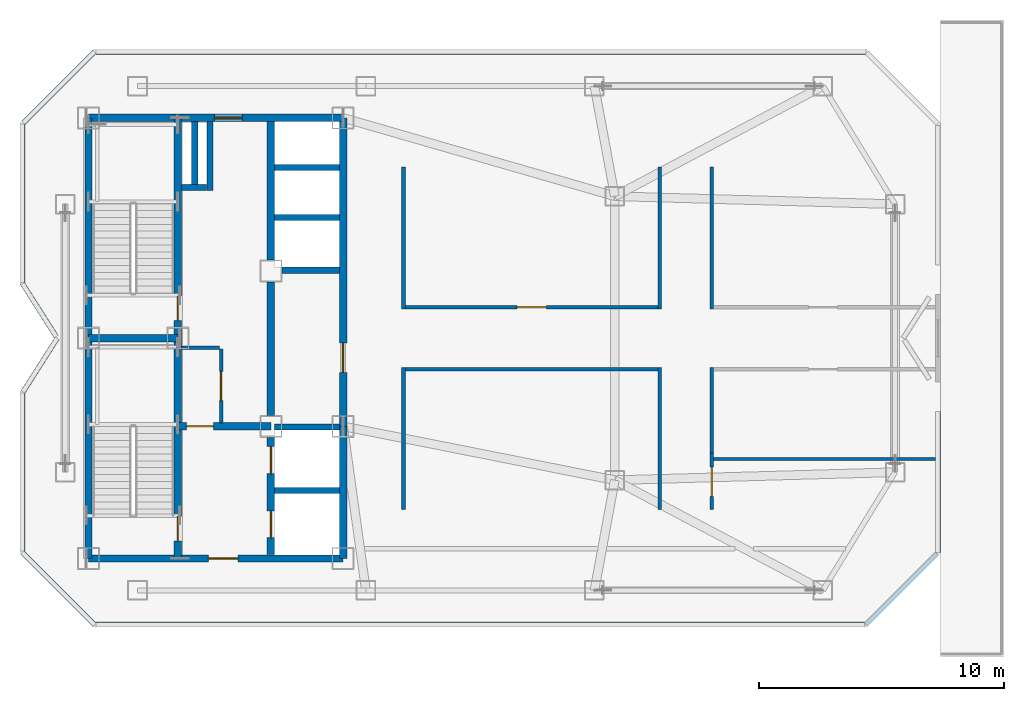
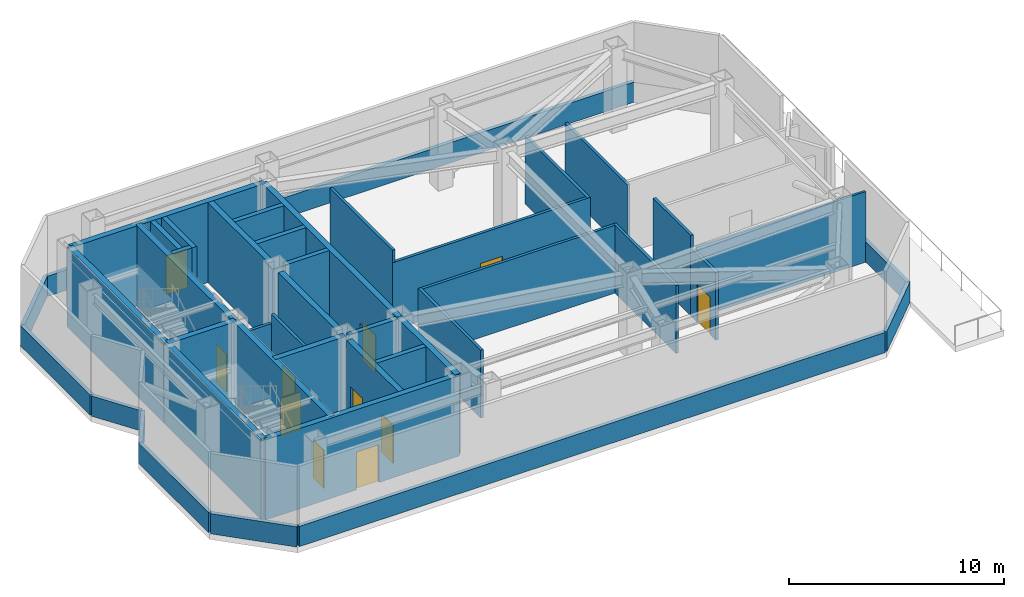
# One storey, part 5 of 10: 43 walls, 11 doors, 11 openings.
"""IFC4 building model written with IfcOpenShell, lengths in metres."""

from ifc_helpers import new_model, si_unit, direction, frame, frame_2d, origin, place, context, subcontext, project, spatial, rectangle, extrude, material, layer, layer_set, type_object, element, fill, save


model = new_model("IFC4")

# Units and contexts
model_context = context("Model", 3, precision=1e-05, world=origin(), true_north=direction((0.0, 1.0)))
body_context = subcontext(model_context, "Body", "Model", "MODEL_VIEW")
ifc_project = project(units=[si_unit("LENGTHUNIT", "METRE"), si_unit("AREAUNIT", "SQUARE_METRE"), si_unit("VOLUMEUNIT", "CUBIC_METRE"), si_unit("PLANEANGLEUNIT", "RADIAN"), si_unit("MASSUNIT", "GRAM", prefix="KILO")], contexts=[model_context])

# Site, building, storey
site_placement = place(None, origin())
site = spatial("IfcSite", under=ifc_project, at=site_placement, CompositionType="ELEMENT")
building_placement = place(site_placement, origin())
building = spatial("IfcBuilding", under=site, at=building_placement, Name="Khamvora Tower", CompositionType="ELEMENT")
storey_placement = place(building_placement, frame((0.0, 0.0, 303.050048828125)))
storey = spatial("IfcBuildingStorey", under=building, at=storey_placement, Name="L77", CompositionType="ELEMENT", Elevation=303.050048828125)

# Walls
ifc_material_1 = material(Name="Concrete C50/60", Category="concrete")
ifc_layer_1 = layer(ifc_material_1, 0.300048828125)
ifc_layer_set_1 = layer_set([ifc_layer_1], Name="Concrete C50/60")
wall_type_1 = type_object("IfcWallType", Name="WAL-CORE-300", PredefinedType="SHEAR", material=ifc_layer_set_1)
for number, where, z_axis, x_axis, name in (
    (1, (29.0, 19.0, 0.0), (0.0, 0.0, 1.0), (0.0, 1.0, 0.0), "L77 central core west south wall"),
    (2, (29.0, 28.0, 0.0), (0.0, 0.0, 1.0), (0.0, 1.0, 0.0), "L77 central core west north wall"),
):
    element("IfcWall", number, at=place(storey_placement, frame(where, z_axis=z_axis, x_axis=x_axis)), inside=storey, type_object=wall_type_1, Name=name, PredefinedType="SHEAR", context=body_context, shape_type="SweptSolid", body=[
        extrude(rectangle(XDim=9.0, YDim=0.300048828125, at=frame_2d((4.5, 0.0))), origin(), (0.0, 0.0, 1.0), 4.550048828125),
    ])

# Wall, opening, door
wall_1_placement = place(storey_placement, frame((29.0, 19.0, 0.0), z_axis=(0.0, 0.0, 1.0), x_axis=(1.0, 0.0, 0.0)))
wall_1 = element("IfcWall", 3, at=wall_1_placement, inside=storey, type_object=wall_type_1, Name="L77 central core south wall", PredefinedType="SHEAR", context=body_context, shape_type="SweptSolid", body=[
    extrude(rectangle(XDim=10.39990234375, YDim=0.300048828125, at=frame_2d((5.199951171875, 0.0))), origin(), (0.0, 0.0, 1.0), 4.550048828125),
])
opening_1_placement = place(wall_1_placement, frame((4.89990234375, 0.0, 0.0)))
opening_1 = element("IfcOpeningElement", 4, at=opening_1_placement, cuts=wall_1, Name="Opening D-CR1", PredefinedType="OPENING", context=body_context, shape_type="SweptSolid", body=[
    extrude(rectangle(XDim=1.199951171875, YDim=2.14990234375, at=frame_2d((0.60009765625, 1.074951171875))), frame((0.0, 0.159912109375, 0.0), z_axis=(0.0, -1.0, 0.0), x_axis=(1.0, 0.0, 0.0)), (0.0, 0.0, 1.0), 0.320068359375),
])
ifc_material_2 = material(Name="Powder-Coated Steel and Hardwood Leaf", Category="steel")
door_type_1 = type_object("IfcDoorType", Name="DOR-CORR-1200", OperationType="NOTDEFINED", PredefinedType="DOOR", material=ifc_material_2)
door_1_placement = place(opening_1_placement, origin())
door_1 = element("IfcDoor", 5, at=door_1_placement, inside=storey, type_object=door_type_1, Name="L77 south core lobby to corridor fire door", OperationType="SINGLE_SWING_RIGHT", OverallHeight=2.14990234375, OverallWidth=1.199951171875, PredefinedType="DOOR", context=body_context, shape_type="SweptSolid", body=[
    extrude(rectangle(XDim=1.199951171875, YDim=2.14990234375, at=frame_2d((0.60009765625, 1.074951171875))), frame((0.0, 0.02490234375, 0.0), z_axis=(0.0, -1.0, 0.0), x_axis=(1.0, 0.0, 0.0)), (0.0, 0.0, 1.0), 0.050048828125),
])
fill(opening_1, door_1)

wall_2_placement = place(storey_placement, frame((29.0, 37.0, 0.0), z_axis=(0.0, 0.0, 1.0), x_axis=(1.0, 0.0, 0.0)))
wall_2 = element("IfcWall", 6, at=wall_2_placement, inside=storey, type_object=wall_type_1, Name="L77 central core north wall", PredefinedType="SHEAR", context=body_context, shape_type="SweptSolid", body=[
    extrude(rectangle(XDim=10.39990234375, YDim=0.300048828125, at=frame_2d((5.199951171875, 0.0))), origin(), (0.0, 0.0, 1.0), 4.550048828125),
])
opening_2_placement = place(wall_2_placement, frame((5.139892578125, 0.0, 0.0)))
opening_2 = element("IfcOpeningElement", 7, at=opening_2_placement, cuts=wall_2, Name="Opening D-SC1", PredefinedType="OPENING", context=body_context, shape_type="SweptSolid", body=[
    extrude(rectangle(XDim=1.14990234375, YDim=2.199951171875, at=frame_2d((0.574951171875, 1.10009765625))), frame((0.0, 0.159912109375, 0.0), z_axis=(0.0, -1.0, 0.0), x_axis=(1.0, 0.0, 0.0)), (0.0, 0.0, 1.0), 0.320068359375),
])
door_type_2 = type_object("IfcDoorType", Name="DOR-SCHL-1150", OperationType="NOTDEFINED", PredefinedType="DOOR", material=ifc_material_2)
door_2_placement = place(opening_2_placement, origin())
door_2 = element("IfcDoor", 8, at=door_2_placement, inside=storey, type_object=door_type_2, Name="L77 north core lobby to corridor fire door", OperationType="SINGLE_SWING_LEFT", OverallHeight=2.199951171875, OverallWidth=1.14990234375, PredefinedType="DOOR", context=body_context, shape_type="SweptSolid", body=[
    extrude(rectangle(XDim=1.14990234375, YDim=2.199951171875, at=frame_2d((0.574951171875, 1.10009765625))), frame((0.0, 0.02490234375, 0.0), z_axis=(0.0, -1.0, 0.0), x_axis=(1.0, 0.0, 0.0)), (0.0, 0.0, 1.0), 0.050048828125),
])
fill(opening_2, door_2)

# Wall
wall_3_placement = place(storey_placement, frame((39.39990234375, 19.0, 0.0), z_axis=(0.0, 0.0, 1.0), x_axis=(0.0, 1.0, 0.0)))
element("IfcWall", 9, at=wall_3_placement, inside=storey, type_object=wall_type_1, Name="L77 central core east south wall", PredefinedType="SHEAR", context=body_context, shape_type="SweptSolid", body=[
    extrude(rectangle(XDim=5.39990234375, YDim=0.300048828125, at=frame_2d((2.699951171875, 0.0))), origin(), (0.0, 0.0, 1.0), 4.550048828125),
])

# Wall, opening, door
wall_4_placement = place(storey_placement, frame((39.39990234375, 24.39990234375, 0.0), z_axis=(0.0, 0.0, 1.0), x_axis=(0.0, 1.0, 0.0)))
wall_4 = element("IfcWall", 10, at=wall_4_placement, inside=storey, type_object=wall_type_1, Name="L77 central core east north wall", PredefinedType="SHEAR", context=body_context, shape_type="SweptSolid", body=[
    extrude(rectangle(XDim=12.60009765625, YDim=0.300048828125, at=frame_2d((6.300048828125, 0.0))), origin(), (0.0, 0.0, 1.0), 4.550048828125),
])
opening_3_placement = place(wall_4_placement, frame((2.199951171875, 0.0, 0.0)))
opening_3 = element("IfcOpeningElement", 11, at=opening_3_placement, cuts=wall_4, Name="Opening D-PL1", PredefinedType="OPENING", context=body_context, shape_type="SweptSolid", body=[
    extrude(rectangle(XDim=1.199951171875, YDim=2.14990234375, at=frame_2d((0.60009765625, 1.074951171875))), frame((0.0, 0.159912109375, 0.0), z_axis=(0.0, -1.0, 0.0), x_axis=(1.0, 0.0, 0.0)), (0.0, 0.0, 1.0), 0.320068359375),
])
door_type_3 = type_object("IfcDoorType", Name="DOR-PLNT-1200", OperationType="NOTDEFINED", PredefinedType="DOOR", material=ifc_material_2)
door_3_placement = place(opening_3_placement, origin())
door_3 = element("IfcDoor", 12, at=door_3_placement, inside=storey, type_object=door_type_3, Name="L77 core plant lobby east fire door", OperationType="SINGLE_SWING_LEFT", OverallHeight=2.14990234375, OverallWidth=1.199951171875, PredefinedType="DOOR", context=body_context, shape_type="SweptSolid", body=[
    extrude(rectangle(XDim=1.199951171875, YDim=2.14990234375, at=frame_2d((0.60009765625, 1.074951171875))), frame((0.0, 0.02490234375, 0.0), z_axis=(0.0, -1.0, 0.0), x_axis=(1.0, 0.0, 0.0)), (0.0, 0.0, 1.0), 0.050048828125),
])
fill(opening_3, door_3)

wall_5_placement = place(storey_placement, frame((32.64990234375, 19.0, 0.0), z_axis=(0.0, 0.0, 1.0), x_axis=(0.0, 1.0, 0.0)))
wall_5 = element("IfcWall", 13, at=wall_5_placement, inside=storey, type_object=wall_type_1, Name="L77 central core stair south spine wall", PredefinedType="SHEAR", context=body_context, shape_type="SweptSolid", body=[
    extrude(rectangle(XDim=9.0, YDim=0.300048828125, at=frame_2d((4.5, 0.0))), origin(), (0.0, 0.0, 1.0), 4.550048828125),
])
opening_4_placement = place(wall_5_placement, frame((0.719970703125, 0.0, 0.0)))
opening_4 = element("IfcOpeningElement", 14, at=opening_4_placement, cuts=wall_5, Name="Opening D-ST1", PredefinedType="OPENING", context=body_context, shape_type="SweptSolid", body=[
    extrude(rectangle(XDim=1.0, YDim=2.14990234375, at=frame_2d((0.5, 1.074951171875))), frame((0.0, 0.159912109375, 0.0), z_axis=(0.0, -1.0, 0.0), x_axis=(1.0, 0.0, 0.0)), (0.0, 0.0, 1.0), 0.320068359375),
])
door_type_4 = type_object("IfcDoorType", Name="DOR-STAIR-1000", OperationType="NOTDEFINED", PredefinedType="DOOR", material=ifc_material_2)
door_4_placement = place(opening_4_placement, origin())
door_4 = element("IfcDoor", 15, at=door_4_placement, inside=storey, type_object=door_type_4, Name="L77 exit stair ST-01 fire door", OperationType="SINGLE_SWING_RIGHT", OverallHeight=2.14990234375, OverallWidth=1.0, PredefinedType="DOOR", context=body_context, shape_type="SweptSolid", body=[
    extrude(rectangle(XDim=1.0, YDim=2.14990234375, at=frame_2d((0.5, 1.074951171875))), frame((0.0, 0.02490234375, 0.0), z_axis=(0.0, -1.0, 0.0), x_axis=(1.0, 0.0, 0.0)), (0.0, 0.0, 1.0), 0.050048828125),
])
fill(opening_4, door_4)

wall_6_placement = place(storey_placement, frame((32.64990234375, 28.0, 0.0), z_axis=(0.0, 0.0, 1.0), x_axis=(0.0, 1.0, 0.0)))
wall_6 = element("IfcWall", 16, at=wall_6_placement, inside=storey, type_object=wall_type_1, Name="L77 central core stair north spine wall", PredefinedType="SHEAR", context=body_context, shape_type="SweptSolid", body=[
    extrude(rectangle(XDim=9.0, YDim=0.300048828125, at=frame_2d((4.5, 0.0))), origin(), (0.0, 0.0, 1.0), 4.550048828125),
])
opening_5_placement = place(wall_6_placement, frame((0.719970703125, 0.0, 0.0)))
opening_5 = element("IfcOpeningElement", 17, at=opening_5_placement, cuts=wall_6, Name="Opening D-ST1", PredefinedType="OPENING", context=body_context, shape_type="SweptSolid", body=[
    extrude(rectangle(XDim=1.0, YDim=2.14990234375, at=frame_2d((0.5, 1.074951171875))), frame((0.0, 0.159912109375, 0.0), z_axis=(0.0, -1.0, 0.0), x_axis=(1.0, 0.0, 0.0)), (0.0, 0.0, 1.0), 0.320068359375),
])
door_5_placement = place(opening_5_placement, origin())
door_5 = element("IfcDoor", 18, at=door_5_placement, inside=storey, type_object=door_type_4, Name="L77 exit stair ST-02 fire door", OperationType="SINGLE_SWING_RIGHT", OverallHeight=2.14990234375, OverallWidth=1.0, PredefinedType="DOOR", context=body_context, shape_type="SweptSolid", body=[
    extrude(rectangle(XDim=1.0, YDim=2.14990234375, at=frame_2d((0.5, 1.074951171875))), frame((0.0, 0.02490234375, 0.0), z_axis=(0.0, -1.0, 0.0), x_axis=(1.0, 0.0, 0.0)), (0.0, 0.0, 1.0), 0.050048828125),
])
fill(opening_5, door_5)

# Wall
wall_7_placement = place(storey_placement, frame((29.0, 28.0, 0.0), z_axis=(0.0, 0.0, 1.0), x_axis=(1.0, 0.0, 0.0)))
element("IfcWall", 19, at=wall_7_placement, inside=storey, type_object=wall_type_1, Name="L77 central core stair cross wall", PredefinedType="SHEAR", context=body_context, shape_type="SweptSolid", body=[
    extrude(rectangle(XDim=3.64990234375, YDim=0.300048828125, at=frame_2d((1.824951171875, 0.0))), origin(), (0.0, 0.0, 1.0), 4.550048828125),
])

# Wall, opening, door
wall_8_placement = place(storey_placement, frame((32.64990234375, 24.39990234375, 0.0), z_axis=(0.0, 0.0, 1.0), x_axis=(1.0, 0.0, 0.0)))
wall_8 = element("IfcWall", 20, at=wall_8_placement, inside=storey, type_object=wall_type_1, Name="L77 central core firefighting lobby north wall", PredefinedType="SHEAR", context=body_context, shape_type="SweptSolid", body=[
    extrude(rectangle(XDim=3.800048828125, YDim=0.300048828125, at=frame_2d((1.89990234375, 0.0))), origin(), (0.0, 0.0, 1.0), 4.550048828125),
])
opening_6_placement = place(wall_8_placement, frame((0.35009765625, 0.0, 0.0)))
opening_6 = element("IfcOpeningElement", 21, at=opening_6_placement, cuts=wall_8, Name="Opening D-FF1", PredefinedType="OPENING", context=body_context, shape_type="SweptSolid", body=[
    extrude(rectangle(XDim=1.10009765625, YDim=2.14990234375, at=frame_2d((0.550048828125, 1.074951171875))), frame((0.0, 0.159912109375, 0.0), z_axis=(0.0, -1.0, 0.0), x_axis=(1.0, 0.0, 0.0)), (0.0, 0.0, 1.0), 0.320068359375),
])
door_type_5 = type_object("IfcDoorType", Name="DOR-FFLOB-1100", OperationType="NOTDEFINED", PredefinedType="DOOR", material=ifc_material_2)
door_6_placement = place(opening_6_placement, origin())
door_6 = element("IfcDoor", 22, at=door_6_placement, inside=storey, type_object=door_type_5, Name="L77 firefighting lobby smoke-seal fire door", OperationType="SINGLE_SWING_LEFT", OverallHeight=2.14990234375, OverallWidth=1.10009765625, PredefinedType="DOOR", context=body_context, shape_type="SweptSolid", body=[
    extrude(rectangle(XDim=1.10009765625, YDim=2.14990234375, at=frame_2d((0.550048828125, 1.074951171875))), frame((0.0, 0.02490234375, 0.0), z_axis=(0.0, -1.0, 0.0), x_axis=(1.0, 0.0, 0.0)), (0.0, 0.0, 1.0), 0.050048828125),
])
fill(opening_6, door_6)

# Wall, openings, doors
wall_9_placement = place(storey_placement, frame((36.449951171875, 19.154052734375, 0.0), z_axis=(0.0, 0.0, 1.0), x_axis=(0.0, 1.0, 0.0)))
wall_9 = element("IfcWall", 23, at=wall_9_placement, inside=storey, type_object=wall_type_1, Name="L77 central core lift bank south wall", PredefinedType="SHEAR", context=body_context, shape_type="SweptSolid", body=[
    extrude(rectangle(XDim=4.7958984375, YDim=0.300048828125, at=frame_2d((2.39794921875, 0.0))), origin(), (0.0, 0.0, 1.0), 4.550048828125),
])
opening_7_placement = place(wall_9_placement, frame((0.696044921875, 0.0, 0.0)))
opening_7 = element("IfcOpeningElement", 24, at=opening_7_placement, cuts=wall_9, Name="Opening LD-FFL", PredefinedType="OPENING", context=body_context, shape_type="SweptSolid", body=[
    extrude(rectangle(XDim=1.10009765625, YDim=2.14990234375, at=frame_2d((0.550048828125, 1.074951171875))), frame((0.0, 0.159912109375, 0.0), z_axis=(0.0, -1.0, 0.0), x_axis=(1.0, 0.0, 0.0)), (0.0, 0.0, 1.0), 0.320068359375),
])
opening_8_placement = place(wall_9_placement, frame((3.31591796875, 0.0, 0.0)))
opening_8 = element("IfcOpeningElement", 25, at=opening_8_placement, cuts=wall_9, Name="Opening LD-FFL", PredefinedType="OPENING", context=body_context, shape_type="SweptSolid", body=[
    extrude(rectangle(XDim=1.10009765625, YDim=2.14990234375, at=frame_2d((0.550048828125, 1.074951171875))), frame((0.0, 0.159912109375, 0.0), z_axis=(0.0, -1.0, 0.0), x_axis=(1.0, 0.0, 0.0)), (0.0, 0.0, 1.0), 0.320068359375),
])
door_type_6 = type_object("IfcDoorType", Name="DOR-LIFT-1100", OperationType="SLIDING_TO_LEFT", PredefinedType="DOOR", material=ifc_material_2)
door_7_placement = place(opening_7_placement, origin())
door_7 = element("IfcDoor", 26, at=door_7_placement, inside=storey, type_object=door_type_6, Name="L77 lift landing sliding door FFL-01", OperationType="SLIDING_TO_LEFT", OverallHeight=2.14990234375, OverallWidth=1.10009765625, PredefinedType="DOOR", context=body_context, shape_type="SweptSolid", body=[
    extrude(rectangle(XDim=1.10009765625, YDim=2.14990234375, at=frame_2d((0.550048828125, 1.074951171875))), frame((0.0, 0.02490234375, 0.0), z_axis=(0.0, -1.0, 0.0), x_axis=(1.0, 0.0, 0.0)), (0.0, 0.0, 1.0), 0.050048828125),
])
fill(opening_7, door_7)
door_8_placement = place(opening_8_placement, origin())
door_8 = element("IfcDoor", 27, at=door_8_placement, inside=storey, type_object=door_type_6, Name="L77 lift landing sliding door FFL-02", OperationType="SLIDING_TO_LEFT", OverallHeight=2.14990234375, OverallWidth=1.10009765625, PredefinedType="DOOR", context=body_context, shape_type="SweptSolid", body=[
    extrude(rectangle(XDim=1.10009765625, YDim=2.14990234375, at=frame_2d((0.550048828125, 1.074951171875))), frame((0.0, 0.02490234375, 0.0), z_axis=(0.0, -1.0, 0.0), x_axis=(1.0, 0.0, 0.0)), (0.0, 0.0, 1.0), 0.050048828125),
])
fill(opening_8, door_8)

# Walls
wall_10_placement = place(storey_placement, frame((36.449951171875, 24.85009765625, 0.0), z_axis=(0.0, 0.0, 1.0), x_axis=(0.0, 1.0, 0.0)))
element("IfcWall", 28, at=wall_10_placement, inside=storey, type_object=wall_type_1, Name="L77 central core lift bank central wall", PredefinedType="SHEAR", context=body_context, shape_type="SweptSolid", body=[
    extrude(rectangle(XDim=5.449951171875, YDim=0.300048828125, at=frame_2d((2.72509765625, 0.0))), origin(), (0.0, 0.0, 1.0), 4.550048828125),
])
wall_11_placement = place(storey_placement, frame((36.449951171875, 31.199951171875, 0.0), z_axis=(0.0, 0.0, 1.0), x_axis=(0.0, 1.0, 0.0)))
element("IfcWall", 29, at=wall_11_placement, inside=storey, type_object=wall_type_1, Name="L77 central core lift bank north wall", PredefinedType="SHEAR", context=body_context, shape_type="SweptSolid", body=[
    extrude(rectangle(XDim=5.64599609375, YDim=0.300048828125, at=frame_2d((2.822998046875, 0.0))), origin(), (0.0, 0.0, 1.0), 4.550048828125),
])
ifc_material_3 = material(Name="Fire-Rated Drywall and Steel Stud", Category="steel")
ifc_layer_2 = layer(ifc_material_3, 0.14990234375)
ifc_layer_set_2 = layer_set([ifc_layer_2], Name="Fire-Rated Drywall and Steel Stud")
wall_type_2 = type_object("IfcWallType", Name="WAL-CORR-150", PredefinedType="STANDARD", material=ifc_layer_set_2)
wall_12_placement = place(storey_placement, frame((32.7939453125, 27.614990234375, 0.0), z_axis=(0.0, 0.0, 1.0), x_axis=(1.0, 0.0, 0.0)))
element("IfcWall", 30, at=wall_12_placement, inside=storey, type_object=wall_type_2, Name="L77 interior partition wall 001", PredefinedType="STANDARD", context=body_context, shape_type="SweptSolid", body=[
    extrude(rectangle(XDim=1.55615234375, YDim=0.14990234375, at=frame_2d((0.778076171875, 0.0))), origin(), (0.0, 0.0, 1.0), 4.0068359375),
])

# Wall, opening, door
wall_13_placement = place(storey_placement, frame((34.4150390625, 27.550048828125, 0.0), z_axis=(0.0, 0.0, 1.0), x_axis=(0.0, -1.0, 0.0)))
wall_13 = element("IfcWall", 31, at=wall_13_placement, inside=storey, type_object=wall_type_2, Name="L77 interior partition wall 002", PredefinedType="STANDARD", context=body_context, shape_type="SweptSolid", body=[
    extrude(rectangle(XDim=3.006103515625, YDim=0.14990234375, at=frame_2d((1.5029296875, 0.0))), origin(), (0.0, 0.0, 1.0), 4.550048828125),
])
opening_9_placement = place(wall_13_placement, frame((0.903076171875, 0.0, 0.0)))
opening_9 = element("IfcOpeningElement", 32, at=opening_9_placement, cuts=wall_13, Name="Opening D-PL1", PredefinedType="OPENING", context=body_context, shape_type="SweptSolid", body=[
    extrude(rectangle(XDim=1.199951171875, YDim=2.14990234375, at=frame_2d((0.60009765625, 1.074951171875))), frame((0.0, 0.0849609375, 0.0), z_axis=(0.0, -1.0, 0.0), x_axis=(1.0, 0.0, 0.0)), (0.0, 0.0, 1.0), 0.169921875),
])
door_9_placement = place(opening_9_placement, origin())
door_9 = element("IfcDoor", 33, at=door_9_placement, inside=storey, type_object=door_type_3, Name="L77 interior door CSR-PCR", OperationType="SINGLE_SWING_RIGHT", OverallHeight=2.14990234375, OverallWidth=1.199951171875, PredefinedType="DOOR", context=body_context, shape_type="SweptSolid", body=[
    extrude(rectangle(XDim=1.199951171875, YDim=2.14990234375, at=frame_2d((0.60009765625, 1.074951171875))), frame((0.0, 0.02490234375, 0.0), z_axis=(0.0, -1.0, 0.0), x_axis=(1.0, 0.0, 0.0)), (0.0, 0.0, 1.0), 0.050048828125),
])
fill(opening_9, door_9)

wall_14_placement = place(storey_placement, frame((41.800048828125, 29.264892578125, 0.0), z_axis=(0.0, 0.0, 1.0), x_axis=(1.0, 0.0, 0.0)))
wall_14 = element("IfcWall", 34, at=wall_14_placement, inside=storey, type_object=wall_type_2, Name="L77 interior partition wall 003", PredefinedType="STANDARD", context=body_context, shape_type="SweptSolid", body=[
    extrude(rectangle(XDim=10.599853515625, YDim=0.14990234375, at=frame_2d((5.2998046875, 0.0))), origin(), (0.0, 0.0, 1.0), 3.844970703125),
])
opening_10_placement = place(wall_14_placement, frame((4.699951171875, 0.0, 0.0)))
opening_10 = element("IfcOpeningElement", 35, at=opening_10_placement, cuts=wall_14, Name="Opening D-PL1", PredefinedType="OPENING", context=body_context, shape_type="SweptSolid", body=[
    extrude(rectangle(XDim=1.199951171875, YDim=2.14990234375, at=frame_2d((0.60009765625, 1.074951171875))), frame((0.0, 0.0849609375, 0.0), z_axis=(0.0, -1.0, 0.0), x_axis=(1.0, 0.0, 0.0)), (0.0, 0.0, 1.0), 0.169921875),
])
door_10_placement = place(opening_10_placement, origin())
door_10 = element("IfcDoor", 36, at=door_10_placement, inside=storey, type_object=door_type_3, Name="L77 interior door PCOR-REF", OperationType="SINGLE_SWING_LEFT", OverallHeight=2.14990234375, OverallWidth=1.199951171875, PredefinedType="DOOR", context=body_context, shape_type="SweptSolid", body=[
    extrude(rectangle(XDim=1.199951171875, YDim=2.14990234375, at=frame_2d((0.60009765625, 1.074951171875))), frame((0.0, 0.02490234375, 0.0), z_axis=(0.0, -1.0, 0.0), x_axis=(1.0, 0.0, 0.0)), (0.0, 0.0, 1.0), 0.050048828125),
])
fill(opening_10, door_10)

# Walls
for number, where, z_axis, x_axis, name in (
    (37, (52.3349609375, 29.199951171875, 0.0), (0.0, 0.0, 1.0), (0.0, 1.0, 0.0), "L77 interior partition wall 004"),
    (38, (52.3349609375, 21.0, 0.0), (0.0, 0.0, 1.0), (0.0, 1.0, 0.0), "L77 interior partition wall 005"),
):
    element("IfcWall", number, at=place(storey_placement, frame(where, z_axis=z_axis, x_axis=x_axis)), inside=storey, type_object=wall_type_2, Name=name, PredefinedType="STANDARD", context=body_context, shape_type="SweptSolid", body=[
        extrude(rectangle(XDim=5.800048828125, YDim=0.14990234375, at=frame_2d((2.89990234375, 0.0))), origin(), (0.0, 0.0, 1.0), 3.844970703125),
    ])
wall_15_placement = place(storey_placement, frame((52.39794921875, 26.735107421875, 0.0), z_axis=(0.0, 0.0, 1.0), x_axis=(-1.0, 0.0, 0.0)))
element("IfcWall", 39, at=wall_15_placement, inside=storey, type_object=wall_type_2, Name="L77 interior partition wall 006", PredefinedType="STANDARD", context=body_context, shape_type="SweptSolid", body=[
    extrude(rectangle(XDim=10.597900390625, YDim=0.14990234375, at=frame_2d((5.298828125, 0.0))), origin(), (0.0, 0.0, 1.0), 3.844970703125),
])
wall_16_placement = place(storey_placement, frame((41.864990234375, 26.800048828125, 0.0), z_axis=(0.0, 0.0, 1.0), x_axis=(0.0, -1.0, 0.0)))
element("IfcWall", 40, at=wall_16_placement, inside=storey, type_object=wall_type_2, Name="L77 interior partition wall 007", PredefinedType="STANDARD", context=body_context, shape_type="SweptSolid", body=[
    extrude(rectangle(XDim=5.800048828125, YDim=0.14990234375, at=frame_2d((2.89990234375, 0.0))), origin(), (0.0, 0.0, 1.0), 3.844970703125),
])
wall_17_placement = place(storey_placement, frame((41.864990234375, 35.0, 0.0), z_axis=(0.0, 0.0, 1.0), x_axis=(0.0, -1.0, 0.0)))
element("IfcWall", 41, at=wall_17_placement, inside=storey, type_object=wall_type_2, Name="L77 interior partition wall 008", PredefinedType="STANDARD", context=body_context, shape_type="SweptSolid", body=[
    extrude(rectangle(XDim=5.800048828125, YDim=0.14990234375, at=frame_2d((2.89990234375, 0.0))), origin(), (0.0, 0.0, 1.0), 4.550048828125),
])

# Wall, opening, door
wall_18_placement = place(storey_placement, frame((54.465087890625, 23.31396484375, 0.0), z_axis=(0.0, 0.0, 1.0), x_axis=(0.0, -1.0, 0.0)))
wall_18 = element("IfcWall", 42, at=wall_18_placement, inside=storey, type_object=wall_type_2, Name="L77 interior partition wall 009", PredefinedType="STANDARD", context=body_context, shape_type="SweptSolid", body=[
    extrude(rectangle(XDim=2.31396484375, YDim=0.14990234375, at=frame_2d((1.156982421875, 0.0))), origin(), (0.0, 0.0, 1.0), 3.844970703125),
])
opening_11_placement = place(wall_18_placement, frame((0.577880859375, 0.0, 0.0)))
opening_11 = element("IfcOpeningElement", 43, at=opening_11_placement, cuts=wall_18, Name="Opening D-PL1", PredefinedType="OPENING", context=body_context, shape_type="SweptSolid", body=[
    extrude(rectangle(XDim=1.199951171875, YDim=2.14990234375, at=frame_2d((0.60009765625, 1.074951171875))), frame((0.0, 0.0849609375, 0.0), z_axis=(0.0, -1.0, 0.0), x_axis=(1.0, 0.0, 0.0)), (0.0, 0.0, 1.0), 0.169921875),
])
door_11_placement = place(opening_11_placement, origin())
door_11 = element("IfcDoor", 44, at=door_11_placement, inside=storey, type_object=door_type_3, Name="L77 interior door PCOR-CHL", OperationType="SINGLE_SWING_RIGHT", OverallHeight=2.14990234375, OverallWidth=1.199951171875, PredefinedType="DOOR", context=body_context, shape_type="SweptSolid", body=[
    extrude(rectangle(XDim=1.199951171875, YDim=2.14990234375, at=frame_2d((0.60009765625, 1.074951171875))), frame((0.0, 0.02490234375, 0.0), z_axis=(0.0, -1.0, 0.0), x_axis=(1.0, 0.0, 0.0)), (0.0, 0.0, 1.0), 0.050048828125),
])
fill(opening_11, door_11)

# Walls
wall_19_placement = place(storey_placement, frame((54.465087890625, 26.800048828125, 0.0), z_axis=(0.0, 0.0, 1.0), x_axis=(0.0, -1.0, 0.0)))
element("IfcWall", 45, at=wall_19_placement, inside=storey, type_object=wall_type_2, Name="L77 interior partition wall 011", PredefinedType="STANDARD", context=body_context, shape_type="SweptSolid", body=[
    extrude(rectangle(XDim=3.486083984375, YDim=0.14990234375, at=frame_2d((1.7431640625, 0.0))), origin(), (0.0, 0.0, 1.0), 4.550048828125),
])
wall_20_placement = place(storey_placement, frame((54.465087890625, 35.0, 0.0), z_axis=(0.0, 0.0, 1.0), x_axis=(0.0, -1.0, 0.0)))
element("IfcWall", 46, at=wall_20_placement, inside=storey, type_object=wall_type_2, Name="L77 interior partition wall 012", PredefinedType="STANDARD", context=body_context, shape_type="SweptSolid", body=[
    extrude(rectangle(XDim=5.800048828125, YDim=0.14990234375, at=frame_2d((2.89990234375, 0.0))), origin(), (0.0, 0.0, 1.0), 3.844970703125),
])
ifc_material_4 = material(Name="Precast concrete C40/50", Category="concrete")
ifc_layer_3 = layer(ifc_material_4, 0.199951171875)
ifc_layer_set_3 = layer_set([ifc_layer_3], Name="Precast concrete C40/50")
wall_type_3 = type_object("IfcWallType", Name="WAL-EXT-200", PredefinedType="STANDARD", material=ifc_layer_set_3)
wall_21_placement = place(storey_placement, frame((29.240966796875, 16.300048828125, 0.0), z_axis=(0.0, 0.0, 1.0), x_axis=(-0.707106781187, 0.707106781187, 0.0)))
element("IfcWall", 47, at=wall_21_placement, inside=storey, type_object=wall_type_3, Name="L77 plant perimeter spandrel wall 01.1", PredefinedType="STANDARD", context=body_context, shape_type="SweptSolid", body=[
    extrude(rectangle(XDim=4.1591796875, YDim=0.199951171875, at=frame_2d((2.07958984375, 0.0))), origin(), (0.0, 0.0, 1.0), 1.14990234375),
])
wall_22_placement = place(storey_placement, frame((26.300048828125, 19.303955078125, 0.0), z_axis=(0.0, 0.0, 1.0), x_axis=(0.0, 1.0, 0.0)))
element("IfcWall", 48, at=wall_22_placement, inside=storey, type_object=wall_type_3, Name="L77 plant perimeter spandrel wall 02.1", PredefinedType="STANDARD", context=body_context, shape_type="SweptSolid", body=[
    extrude(rectangle(XDim=6.467041015625, YDim=0.199951171875, at=frame_2d((3.2333984375, 0.0))), origin(), (0.0, 0.0, 1.0), 1.14990234375),
])
wall_23_placement = place(storey_placement, frame((26.322998046875, 25.80810546875, 0.0), z_axis=(0.0, 0.0, 1.0), x_axis=(0.53719156007, 0.843460270428, 0.0)))
element("IfcWall", 49, at=wall_23_placement, inside=storey, type_object=wall_type_3, Name="L77 plant perimeter spandrel wall 03.1", PredefinedType="STANDARD", context=body_context, shape_type="SweptSolid", body=[
    extrude(rectangle(XDim=2.5986328125, YDim=0.199951171875, at=frame_2d((1.29931640625, 0.0))), origin(), (0.0, 0.0, 1.0), 1.14990234375),
])
wall_24_placement = place(storey_placement, frame((27.675048828125, 28.068115234375, 0.0), z_axis=(0.0, 0.0, 1.0), x_axis=(-0.536844652872, 0.843681111963, 0.0)))
element("IfcWall", 50, at=wall_24_placement, inside=storey, type_object=wall_type_3, Name="L77 plant perimeter spandrel wall 04.1", PredefinedType="STANDARD", context=body_context, shape_type="SweptSolid", body=[
    extrude(rectangle(XDim=2.561279296875, YDim=0.199951171875, at=frame_2d((1.28076171875, 0.0))), origin(), (0.0, 0.0, 1.0), 1.14990234375),
])
wall_25_placement = place(storey_placement, frame((26.300048828125, 30.27392578125, 0.0), z_axis=(0.0, 0.0, 1.0), x_axis=(0.0, 1.0, 0.0)))
element("IfcWall", 51, at=wall_25_placement, inside=storey, type_object=wall_type_3, Name="L77 plant perimeter spandrel wall 05.1", PredefinedType="STANDARD", context=body_context, shape_type="SweptSolid", body=[
    extrude(rectangle(XDim=6.485107421875, YDim=0.199951171875, at=frame_2d((3.24267578125, 0.0))), origin(), (0.0, 0.0, 1.0), 1.14990234375),
])
wall_26_placement = place(storey_placement, frame((26.343994140625, 36.802978515625, 0.0), z_axis=(0.0, 0.0, 1.0), x_axis=(0.707106781187, 0.707106781187, 0.0)))
element("IfcWall", 52, at=wall_26_placement, inside=storey, type_object=wall_type_3, Name="L77 plant perimeter spandrel wall 06.1", PredefinedType="STANDARD", context=body_context, shape_type="SweptSolid", body=[
    extrude(rectangle(XDim=4.096923828125, YDim=0.199951171875, at=frame_2d((2.04833984375, 0.0))), origin(), (0.0, 0.0, 1.0), 1.14990234375),
])
wall_27_placement = place(storey_placement, frame((29.302001953125, 39.699951171875, 0.0), z_axis=(0.0, 0.0, 1.0), x_axis=(1.0, 0.0, 0.0)))
element("IfcWall", 53, at=wall_27_placement, inside=storey, type_object=wall_type_3, Name="L77 plant perimeter spandrel wall 07.1", PredefinedType="STANDARD", context=body_context, shape_type="SweptSolid", body=[
    extrude(rectangle(XDim=31.45703125, YDim=0.199951171875, at=frame_2d((15.728515625, 0.0))), origin(), (0.0, 0.0, 1.0), 1.14990234375),
])
wall_28_placement = place(storey_placement, frame((63.699951171875, 25.0, 0.0), z_axis=(0.0, 0.0, 1.0), x_axis=(0.0, -1.0, 0.0)))
element("IfcWall", 54, at=wall_28_placement, inside=storey, type_object=wall_type_3, Name="L77 plant perimeter spandrel wall 12.1", PredefinedType="STANDARD", context=body_context, shape_type="SweptSolid", body=[
    extrude(rectangle(XDim=5.759033203125, YDim=0.199951171875, at=frame_2d((2.87939453125, 0.0))), origin(), (0.0, 0.0, 1.0), 1.14990234375),
])
wall_29_placement = place(storey_placement, frame((63.655029296875, 19.196044921875, 0.0), z_axis=(0.0, 0.0, 1.0), x_axis=(-0.707106781187, -0.707106781187, 0.0)))
element("IfcWall", 55, at=wall_29_placement, inside=storey, type_object=wall_type_3, Name="L77 plant perimeter spandrel wall 13.1", PredefinedType="STANDARD", context=body_context, shape_type="SweptSolid", body=[
    extrude(rectangle(XDim=4.095458984375, YDim=0.199951171875, at=frame_2d((2.0478515625, 0.0))), origin(), (0.0, 0.0, 1.0), 1.14990234375),
])
wall_30_placement = place(storey_placement, frame((60.696044921875, 16.300048828125, 0.0), z_axis=(0.0, 0.0, 1.0), x_axis=(-1.0, 0.0, 0.0)))
element("IfcWall", 56, at=wall_30_placement, inside=storey, type_object=wall_type_3, Name="L77 plant perimeter spandrel wall 14.1", PredefinedType="STANDARD", context=body_context, shape_type="SweptSolid", body=[
    extrude(rectangle(XDim=31.39306640625, YDim=0.199951171875, at=frame_2d((15.696533203125, 0.0))), origin(), (0.0, 0.0, 1.0), 1.14990234375),
])
ifc_material_5 = material(Name="Gypsum Plasterboard Partition", Category="gypsum")
ifc_layer_4 = layer(ifc_material_5, 0.1201171875)
ifc_layer_set_4 = layer_set([ifc_layer_4], Name="Gypsum Plasterboard Partition")
wall_type_4 = type_object("IfcWallType", Name="WAL-PART-120", PredefinedType="PARTITIONING", material=ifc_layer_set_4)
wall_31_placement = place(storey_placement, frame((54.531982421875, 23.06494140625, 0.0), z_axis=(0.0, 0.0, 1.0), x_axis=(1.0, 0.0, 0.0)))
element("IfcWall", 57, at=wall_31_placement, inside=storey, type_object=wall_type_4, Name="L77 interior partition wall 014", PredefinedType="PARTITIONING", context=body_context, shape_type="SweptSolid", body=[
    extrude(rectangle(XDim=9.075927734375, YDim=0.1201171875, at=frame_2d((4.5380859375, 0.0))), origin(), (0.0, 0.0, 1.0), 4.0068359375),
])
ifc_material_6 = material(Name="Concrete C40/50", Category="concrete")
ifc_layer_5 = layer(ifc_material_6, 0.25)
ifc_layer_set_5 = layer_set([ifc_layer_5], Name="Concrete C40/50")
wall_type_5 = type_object("IfcWallType", Name="WAL-PODS-250", PredefinedType="SHEAR", material=ifc_layer_set_5)
for number, where, z_axis, x_axis, name in (
    (58, (36.60400390625, 21.77490234375, 0.0), (0.0, 0.0, 1.0), (1.0, 0.0, 0.0), "L77 lift shaft divider wall FFL-01"),
    (59, (36.60400390625, 24.375, 0.0), (0.0, 0.0, 1.0), (1.0, 0.0, 0.0), "L77 lift shaft divider wall FFL-02"),
):
    element("IfcWall", number, at=place(storey_placement, frame(where, z_axis=z_axis, x_axis=x_axis)), inside=storey, type_object=wall_type_5, Name=name, PredefinedType="SHEAR", context=body_context, shape_type="SweptSolid", body=[
        extrude(rectangle(XDim=2.64208984375, YDim=0.25, at=frame_2d((1.321044921875, 0.0))), origin(), (0.0, 0.0, 1.0), 4.550048828125),
    ])
wall_32_placement = place(storey_placement, frame((36.904052734375, 30.77490234375, 0.0), z_axis=(0.0, 0.0, 1.0), x_axis=(1.0, 0.0, 0.0)))
element("IfcWall", 60, at=wall_32_placement, inside=storey, type_object=wall_type_5, Name="L77 high-rise lift shaft south enclosure wall PH-01", PredefinedType="SHEAR", context=body_context, shape_type="SweptSolid", body=[
    extrude(rectangle(XDim=2.342041015625, YDim=0.25, at=frame_2d((1.1708984375, 0.0))), origin(), (0.0, 0.0, 1.0), 4.550048828125),
])
for number, where, z_axis, x_axis, name in (
    (61, (36.60400390625, 32.925048828125, 0.0), (0.0, 0.0, 1.0), (1.0, 0.0, 0.0), "L77 lift shaft divider wall PH-01"),
    (62, (36.60400390625, 34.97509765625, 0.0), (0.0, 0.0, 1.0), (1.0, 0.0, 0.0), "L77 lift shaft divider wall PH-02"),
):
    element("IfcWall", number, at=place(storey_placement, frame(where, z_axis=z_axis, x_axis=x_axis)), inside=storey, type_object=wall_type_5, Name=name, PredefinedType="SHEAR", context=body_context, shape_type="SweptSolid", body=[
        extrude(rectangle(XDim=2.64208984375, YDim=0.25, at=frame_2d((1.321044921875, 0.0))), origin(), (0.0, 0.0, 1.0), 4.550048828125),
    ])
wall_33_placement = place(storey_placement, frame((33.955078125, 34.02490234375, 0.0), z_axis=(0.0, 0.0, 1.0), x_axis=(0.0, 1.0, 0.0)))
element("IfcWall", 63, at=wall_33_placement, inside=storey, type_object=wall_type_5, Name="L77 vertical MEP riser shaft east enclosure wall", PredefinedType="SHEAR", context=body_context, shape_type="SweptSolid", body=[
    extrude(rectangle(XDim=2.821044921875, YDim=0.25, at=frame_2d((1.41064453125, 0.0))), origin(), (0.0, 0.0, 1.0), 4.550048828125),
])
wall_34_placement = place(storey_placement, frame((32.803955078125, 34.14990234375, 0.0), z_axis=(0.0, 0.0, 1.0), x_axis=(1.0, 0.0, 0.0)))
element("IfcWall", 64, at=wall_34_placement, inside=storey, type_object=wall_type_5, Name="L77 vertical MEP riser shaft south enclosure wall", PredefinedType="SHEAR", context=body_context, shape_type="SweptSolid", body=[
    extrude(rectangle(XDim=1.02197265625, YDim=0.25, at=frame_2d((0.510986328125, 0.0))), origin(), (0.0, 0.0, 1.0), 4.550048828125),
])
wall_35_placement = place(storey_placement, frame((33.340087890625, 34.279052734375, 0.0), z_axis=(0.0, 0.0, 1.0), x_axis=(0.0, 1.0, 0.0)))
element("IfcWall", 65, at=wall_35_placement, inside=storey, type_object=wall_type_5, Name="L77 vertical MEP riser shaft divider enclosure wall", PredefinedType="SHEAR", context=body_context, shape_type="SweptSolid", body=[
    extrude(rectangle(XDim=2.56689453125, YDim=0.25, at=frame_2d((1.283447265625, 0.0))), origin(), (0.0, 0.0, 1.0), 4.550048828125),
])

save(model, "model.ifc")
